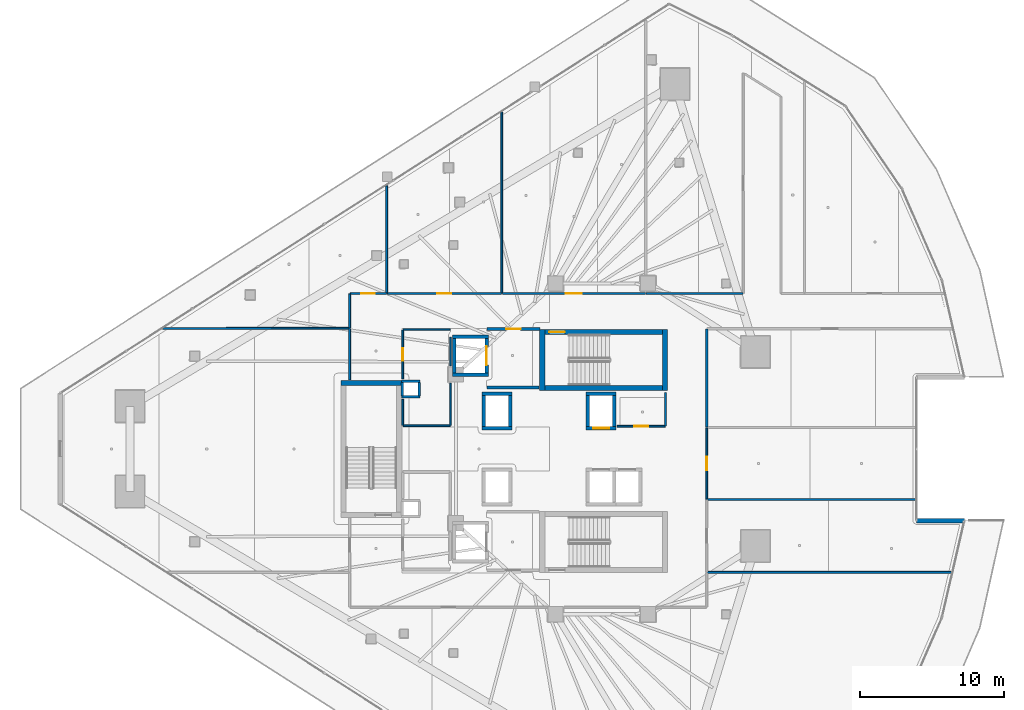
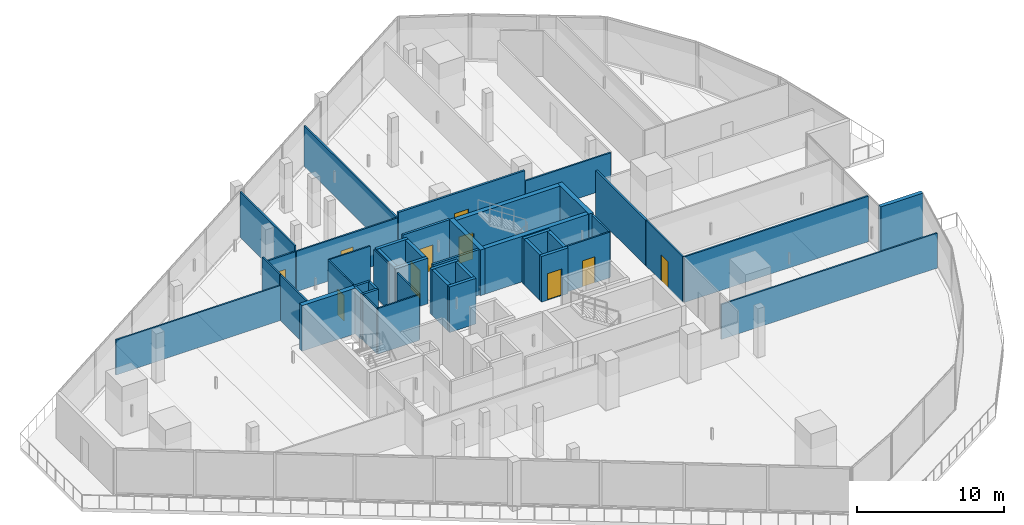
# One storey, part 24 of 35: 45 walls, 10 doors, 10 openings.
"""IFC4 building model written with IfcOpenShell, lengths in metres."""

from ifc_helpers import new_model, si_unit, direction, frame, frame_2d, origin, place, context, subcontext, project, spatial, rectangle, extrude, material, layer, layer_set, type_object, element, fill, save


model = new_model("IFC4")

# Units and contexts
model_context = context("Model", 3, precision=1e-05, world=origin(), true_north=direction((0.0, 1.0)))
body_context = subcontext(model_context, "Body", "Model", "MODEL_VIEW")
ifc_project = project(units=[si_unit("LENGTHUNIT", "METRE"), si_unit("AREAUNIT", "SQUARE_METRE"), si_unit("VOLUMEUNIT", "CUBIC_METRE"), si_unit("PLANEANGLEUNIT", "RADIAN"), si_unit("MASSUNIT", "GRAM", prefix="KILO")], contexts=[model_context])

# Site, building, storey
site_placement = place(None, origin())
site = spatial("IfcSite", under=ifc_project, at=site_placement, CompositionType="ELEMENT")
building_placement = place(site_placement, origin())
building = spatial("IfcBuilding", under=site, at=building_placement, Name="Qorvath Tower", CompositionType="ELEMENT")
storey_placement = place(building_placement, frame((0.0, 0.0, 130.050048828125)))
storey = spatial("IfcBuildingStorey", under=building, at=storey_placement, Name="L29", CompositionType="ELEMENT", Elevation=130.050048828125)

# Walls
ifc_material_1 = material(Name="Gypsum shaftliner on steel studs", Category="steel")
ifc_layer_1 = layer(ifc_material_1, 0.179931640625)
ifc_layer_set_1 = layer_set([ifc_layer_1], Name="FW-LOBBY")
wall_type_1 = type_object("IfcWallType", Name="FW-LOBBY", PredefinedType="PARTITIONING", material=ifc_layer_set_1)
for number, where, z_axis, x_axis, name in (
    (1, (-32.989990234375, 3.594970703125, 0.0), (0.0, 0.0, 1.0), (-1.0, 0.0, 0.0), "MEP Riser Shaft Enclosure Wall N-L29-S"),
    (2, (-34.260009765625, 4.675048828125, 0.0), (0.0, 0.0, 1.0), (1.0, 0.0, 0.0), "MEP Riser Shaft Enclosure Wall N-L29-N"),
):
    element("IfcWall", number, at=place(storey_placement, frame(where, z_axis=z_axis, x_axis=x_axis)), inside=storey, type_object=wall_type_1, Name=name, PredefinedType="PARTITIONING", context=body_context, shape_type="SweptSolid", body=[
        extrude(rectangle(XDim=1.27001953125, YDim=0.179931640625, at=frame_2d((0.635009765625, 0.0))), origin(), (0.0, 0.0, 1.0), 3.780029296875),
    ])
for number, where, z_axis, x_axis, name in (
    (3, (-34.205078125, 3.659912109375, 0.0), (0.0, 0.0, 1.0), (0.0, 1.0, 0.0), "MEP Riser Shaft Enclosure Wall N-L29-W"),
    (4, (-33.044921875, 4.610107421875, 0.0), (0.0, 0.0, 1.0), (0.0, -1.0, 0.0), "MEP Riser Shaft Enclosure Wall N-L29-E"),
):
    element("IfcWall", number, at=place(storey_placement, frame(where, z_axis=z_axis, x_axis=x_axis)), inside=storey, type_object=wall_type_1, Name=name, PredefinedType="PARTITIONING", context=body_context, shape_type="SweptSolid", body=[
        extrude(rectangle(XDim=0.9501953125, YDim=0.179931640625, at=frame_2d((0.47509765625, 0.0))), origin(), (0.0, 0.0, 1.0), 3.780029296875),
    ])
wall_1_placement = place(storey_placement, frame((-28.35498046875, 4.25, 0.0), z_axis=(0.0, 0.0, 1.0), x_axis=(1.0, 0.0, 0.0)))
element("IfcWall", 5, at=wall_1_placement, inside=storey, type_object=wall_type_1, Name="Interior Partition IW-T1-L29-001", PredefinedType="PARTITIONING", context=body_context, shape_type="SweptSolid", body=[
    extrude(rectangle(XDim=3.6220703125, YDim=0.179931640625, at=frame_2d((1.81103515625, 0.0))), origin(), (0.0, 0.0, 1.0), 3.780029296875),
])

# Wall, opening, door
wall_2_placement = place(storey_placement, frame((-24.68408203125, 8.300048828125, 0.0), z_axis=(0.0, 0.0, 1.0), x_axis=(-1.0, 0.0, 0.0)))
wall_2 = element("IfcWall", 6, at=wall_2_placement, inside=storey, type_object=wall_type_1, Name="Interior Partition IW-T1-L29-002", PredefinedType="PARTITIONING", context=body_context, shape_type="SweptSolid", body=[
    extrude(rectangle(XDim=3.6708984375, YDim=0.179931640625, at=frame_2d((1.83544921875, 0.0))), origin(), (0.0, 0.0, 1.0), 3.780029296875),
])
opening_1_placement = place(wall_2_placement, frame((1.33544921875, 0.0, 0.0)))
opening_1 = element("IfcOpeningElement", 7, at=opening_1_placement, cuts=wall_2, Name="Opening D-T1-L29-14", PredefinedType="OPENING", context=body_context, shape_type="SweptSolid", body=[
    extrude(rectangle(XDim=1.0, YDim=2.14990234375, at=frame_2d((0.5, 1.074951171875))), frame((0.0, 0.10009765625, 0.0), z_axis=(0.0, -1.0, 0.0), x_axis=(1.0, 0.0, 0.0)), (0.0, 0.0, 1.0), 0.199951171875),
])
ifc_material_2 = material(Name="Painted galvanised hollow metal", Category="steel")
door_type_1 = type_object("IfcDoorType", Name="FD-60", OperationType="NOTDEFINED", PredefinedType="DOOR", material=ifc_material_2)
door_1_placement = place(opening_1_placement, origin())
door_1 = element("IfcDoor", 8, at=door_1_placement, inside=storey, type_object=door_type_1, Name="Lobby Fire Service Elevator North Door D-T1-L29-14", OperationType="SINGLE_SWING_RIGHT", OverallHeight=2.14990234375, OverallWidth=1.0, PredefinedType="DOOR", context=body_context, shape_type="SweptSolid", body=[
    extrude(rectangle(XDim=1.0, YDim=2.14990234375, at=frame_2d((0.5, 1.074951171875))), frame((0.0, 0.02490234375, 0.0), z_axis=(0.0, -1.0, 0.0), x_axis=(1.0, 0.0, 0.0)), (0.0, 0.0, 1.0), 0.050048828125),
])
fill(opening_1, door_1)

ifc_material_3 = material(Name="Double acoustic gypsum board on steel studs", Category="steel")
ifc_layer_2 = layer(ifc_material_3, 0.159912109375)
ifc_layer_set_2 = layer_set([ifc_layer_2], Name="IW-ACOUSTIC-160")
wall_type_2 = type_object("IfcWallType", Name="IW-ACOUSTIC-160", PredefinedType="PARTITIONING", material=ifc_layer_set_2)
wall_3_placement = place(storey_placement, frame((-27.289794921875, 10.758056640625, 0.0), z_axis=(0.0, 0.0, 1.0), x_axis=(1.0, 0.0, 0.0)))
wall_3 = element("IfcWall", 9, at=wall_3_placement, inside=storey, type_object=wall_type_2, Name="Interior Partition IW-T1-L29-025", PredefinedType="PARTITIONING", context=body_context, shape_type="SweptSolid", body=[
    extrude(rectangle(XDim=9.899169921875, YDim=0.159912109375, at=frame_2d((4.94970703125, 0.0))), origin(), (0.0, 0.0, 1.0), 3.780029296875),
])
opening_2_placement = place(wall_3_placement, frame((4.399658203125, 0.0, 0.0)))
opening_2 = element("IfcOpeningElement", 10, at=opening_2_placement, cuts=wall_3, Name="Opening D-T1-L29-06", PredefinedType="OPENING", context=body_context, shape_type="SweptSolid", body=[
    extrude(rectangle(XDim=1.10009765625, YDim=2.14990234375, at=frame_2d((0.550048828125, 1.074951171875))), frame((0.0, 0.08984375, 0.0), z_axis=(0.0, -1.0, 0.0), x_axis=(1.0, 0.0, 0.0)), (0.0, 0.0, 1.0), 0.179931640625),
])
ifc_material_4 = material(Name="Anodised aluminium acoustic framed glass", Category="aluminium")
door_type_2 = type_object("IfcDoorType", Name="D-03", OperationType="NOTDEFINED", PredefinedType="DOOR", material=ifc_material_4)
door_2_placement = place(opening_2_placement, origin())
door_2 = element("IfcDoor", 11, at=door_2_placement, inside=storey, type_object=door_type_2, Name="L29-03 Client Services Office Door D-T1-L29-06", OperationType="SINGLE_SWING_RIGHT", OverallHeight=2.14990234375, OverallWidth=1.10009765625, PredefinedType="DOOR", context=body_context, shape_type="SweptSolid", body=[
    extrude(rectangle(XDim=1.10009765625, YDim=2.14990234375, at=frame_2d((0.550048828125, 1.074951171875))), frame((0.0, 0.02490234375, 0.0), z_axis=(0.0, -1.0, 0.0), x_axis=(1.0, 0.0, 0.0)), (0.0, 0.0, 1.0), 0.050048828125),
])
fill(opening_2, door_2)

# Wall
wall_4_placement = place(storey_placement, frame((-13.14208984375, 8.287109375, 0.0), z_axis=(0.0, 0.0, 1.0), x_axis=(0.0, -1.0, 0.0)))
element("IfcWall", 12, at=wall_4_placement, inside=storey, type_object=wall_type_2, Name="Interior Partition IW-T1-L29-046", PredefinedType="PARTITIONING", context=body_context, shape_type="SweptSolid", body=[
    extrude(rectangle(XDim=6.776611328125, YDim=0.159912109375, at=frame_2d((3.38818359375, 0.0))), origin(), (0.0, 0.0, 1.0), 3.780029296875),
])

# Wall, opening, door
ifc_material_5 = material(Name="Gypsum board on metal studs with mineral wool", Category="gypsum")
ifc_layer_3 = layer(ifc_material_5, 0.125)
ifc_layer_set_3 = layer_set([ifc_layer_3], Name="IW-PART-125")
wall_type_3 = type_object("IfcWallType", Name="IW-PART-125", PredefinedType="PARTITIONING", material=ifc_layer_set_3)
wall_5_placement = place(storey_placement, frame((-19.333740234375, 1.56005859375, 0.0), z_axis=(0.0, 0.0, 1.0), x_axis=(1.0, 0.0, 0.0)))
wall_5 = element("IfcWall", 13, at=wall_5_placement, inside=storey, type_object=wall_type_3, Name="Interior Partition IW-T1-L29-011", PredefinedType="PARTITIONING", context=body_context, shape_type="SweptSolid", body=[
    extrude(rectangle(XDim=3.308837890625, YDim=0.125, at=frame_2d((1.654296875, 0.0))), origin(), (0.0, 0.0, 1.0), 3.780029296875),
])
opening_3_placement = place(wall_5_placement, frame((1.179443359375, 0.0, 0.0)))
opening_3 = element("IfcOpeningElement", 14, at=opening_3_placement, cuts=wall_5, Name="Opening D-T1-L29-02", PredefinedType="OPENING", context=body_context, shape_type="SweptSolid", body=[
    extrude(rectangle(XDim=0.949951171875, YDim=2.14990234375, at=frame_2d((0.47509765625, 1.074951171875))), frame((0.0, 0.072509765625, 0.0), z_axis=(0.0, -1.0, 0.0), x_axis=(1.0, 0.0, 0.0)), (0.0, 0.0, 1.0), 0.14501953125),
])
ifc_material_6 = material(Name="Solid-core American white oak veneer", Category="wood")
door_type_3 = type_object("IfcDoorType", Name="D-01", OperationType="NOTDEFINED", PredefinedType="DOOR", material=ifc_material_6)
door_3_placement = place(opening_3_placement, origin())
door_3 = element("IfcDoor", 15, at=door_3_placement, inside=storey, type_object=door_type_3, Name="L29-RCN North Staff Refreshment Pantry Door D-T1-L29-02", OperationType="SINGLE_SWING_RIGHT", OverallHeight=2.14990234375, OverallWidth=0.949951171875, PredefinedType="DOOR", context=body_context, shape_type="SweptSolid", body=[
    extrude(rectangle(XDim=0.949951171875, YDim=2.14990234375, at=frame_2d((0.47509765625, 1.074951171875))), frame((0.0, 0.02490234375, 0.0), z_axis=(0.0, -1.0, 0.0), x_axis=(1.0, 0.0, 0.0)), (0.0, 0.0, 1.0), 0.050048828125),
])
fill(opening_3, door_3)

# Walls
wall_6_placement = place(storey_placement, frame((-16.0, 1.585205078125, 0.0), z_axis=(0.0, 0.0, 1.0), x_axis=(0.0, 1.0, 0.0)))
element("IfcWall", 16, at=wall_6_placement, inside=storey, type_object=wall_type_3, Name="Interior Partition IW-T1-L29-012", PredefinedType="PARTITIONING", context=body_context, shape_type="SweptSolid", body=[
    extrude(rectangle(XDim=2.30224609375, YDim=0.125, at=frame_2d((1.151123046875, 0.0))), origin(), (0.0, 0.0, 1.0), 3.780029296875),
])
wall_7_placement = place(storey_placement, frame((-37.85791015625, 8.375, 0.0), z_axis=(0.0, 0.0, 1.0), x_axis=(0.0, 1.0, 0.0)))
element("IfcWall", 17, at=wall_7_placement, inside=storey, type_object=wall_type_3, Name="Interior Partition IW-T1-L29-019", PredefinedType="PARTITIONING", context=body_context, shape_type="SweptSolid", body=[
    extrude(rectangle(XDim=2.358154296875, YDim=0.125, at=frame_2d((1.17919921875, 0.0))), origin(), (0.0, 0.0, 1.0), 3.780029296875),
])

# Wall, opening, door
wall_8_placement = place(storey_placement, frame((-37.8330078125, 10.758056640625, 0.0), z_axis=(0.0, 0.0, 1.0), x_axis=(1.0, 0.0, 0.0)))
wall_8 = element("IfcWall", 18, at=wall_8_placement, inside=storey, type_object=wall_type_3, Name="Interior Partition IW-T1-L29-020", PredefinedType="PARTITIONING", context=body_context, shape_type="SweptSolid", body=[
    extrude(rectangle(XDim=2.50927734375, YDim=0.125, at=frame_2d((1.254638671875, 0.0))), origin(), (0.0, 0.0, 1.0), 3.34423828125),
])
opening_4_placement = place(wall_8_placement, frame((0.779541015625, 0.0, 0.0)))
opening_4 = element("IfcOpeningElement", 19, at=opening_4_placement, cuts=wall_8, Name="Opening D-T1-L29-04", PredefinedType="OPENING", context=body_context, shape_type="SweptSolid", body=[
    extrude(rectangle(XDim=0.949951171875, YDim=2.14990234375, at=frame_2d((0.47509765625, 1.074951171875))), frame((0.0, 0.072509765625, 0.0), z_axis=(0.0, -1.0, 0.0), x_axis=(1.0, 0.0, 0.0)), (0.0, 0.0, 1.0), 0.14501953125),
])
door_4_placement = place(opening_4_placement, origin())
door_4 = element("IfcDoor", 20, at=door_4_placement, inside=storey, type_object=door_type_3, Name="L29-01 Focus Collaboration Pod Door D-T1-L29-04", OperationType="SINGLE_SWING_RIGHT", OverallHeight=2.14990234375, OverallWidth=0.949951171875, PredefinedType="DOOR", context=body_context, shape_type="SweptSolid", body=[
    extrude(rectangle(XDim=0.949951171875, YDim=2.14990234375, at=frame_2d((0.47509765625, 1.074951171875))), frame((0.0, 0.02490234375, 0.0), z_axis=(0.0, -1.0, 0.0), x_axis=(1.0, 0.0, 0.0)), (0.0, 0.0, 1.0), 0.050048828125),
])
fill(opening_4, door_4)

# Walls
wall_9_placement = place(storey_placement, frame((-35.298828125, 10.783203125, 0.0), z_axis=(0.0, 0.0, 1.0), x_axis=(0.0, 1.0, 0.0)))
element("IfcWall", 21, at=wall_9_placement, inside=storey, type_object=wall_type_3, Name="Interior Partition IW-T1-L29-021", PredefinedType="PARTITIONING", context=body_context, shape_type="SweptSolid", body=[
    extrude(rectangle(XDim=7.423583984375, YDim=0.125, at=frame_2d((3.7119140625, 0.0))), origin(), (0.0, 0.0, 1.0), 3.780029296875),
])
wall_10_placement = place(storey_placement, frame((-50.791259765625, 8.334228515625, 0.0), z_axis=(0.0, 0.0, 1.0), x_axis=(0.999999244337, 0.001229359992, 0.0)))
element("IfcWall", 22, at=wall_10_placement, inside=storey, type_object=wall_type_3, Name="Interior Partition IW-T1-L29-022", PredefinedType="PARTITIONING", context=body_context, shape_type="SweptSolid", body=[
    extrude(rectangle(XDim=12.908447265625, YDim=0.125, at=frame_2d((6.4541015625, 0.0))), origin(), (0.0, 0.0, 1.0), 2.89990234375),
])

# Wall, opening, door
wall_11_placement = place(storey_placement, frame((-35.26611328125, 10.758056640625, 0.0), z_axis=(0.0, 0.0, 1.0), x_axis=(1.0, 0.0, 0.0)))
wall_11 = element("IfcWall", 23, at=wall_11_placement, inside=storey, type_object=wall_type_3, Name="Interior Partition IW-T1-L29-023", PredefinedType="PARTITIONING", context=body_context, shape_type="SweptSolid", body=[
    extrude(rectangle(XDim=7.918212890625, YDim=0.125, at=frame_2d((3.958984375, 0.0))), origin(), (0.0, 0.0, 1.0), 3.34423828125),
])
opening_5_placement = place(wall_11_placement, frame((3.484130859375, 0.0, 0.0)))
opening_5 = element("IfcOpeningElement", 24, at=opening_5_placement, cuts=wall_11, Name="Opening D-T1-L29-05", PredefinedType="OPENING", context=body_context, shape_type="SweptSolid", body=[
    extrude(rectangle(XDim=0.949951171875, YDim=2.14990234375, at=frame_2d((0.47509765625, 1.074951171875))), frame((0.0, 0.072509765625, 0.0), z_axis=(0.0, -1.0, 0.0), x_axis=(1.0, 0.0, 0.0)), (0.0, 0.0, 1.0), 0.14501953125),
])
door_5_placement = place(opening_5_placement, origin())
door_5 = element("IfcDoor", 25, at=door_5_placement, inside=storey, type_object=door_type_3, Name="L29-02 Staff Refreshment Pantry and Coffee Bar Door D-T1-L29-05", OperationType="SINGLE_SWING_LEFT", OverallHeight=2.14990234375, OverallWidth=0.949951171875, PredefinedType="DOOR", context=body_context, shape_type="SweptSolid", body=[
    extrude(rectangle(XDim=0.949951171875, YDim=2.14990234375, at=frame_2d((0.47509765625, 1.074951171875))), frame((0.0, 0.02490234375, 0.0), z_axis=(0.0, -1.0, 0.0), x_axis=(1.0, 0.0, 0.0)), (0.0, 0.0, 1.0), 0.050048828125),
])
fill(opening_5, door_5)

# Walls
wall_12_placement = place(storey_placement, frame((-27.32275390625, 10.783203125, 0.0), z_axis=(0.0, 0.0, 1.0), x_axis=(0.0, 1.0, 0.0)))
element("IfcWall", 26, at=wall_12_placement, inside=storey, type_object=wall_type_3, Name="Interior Partition IW-T1-L29-024", PredefinedType="PARTITIONING", context=body_context, shape_type="SweptSolid", body=[
    extrude(rectangle(XDim=12.521240234375, YDim=0.125, at=frame_2d((6.2607421875, 0.0))), origin(), (0.0, 0.0, 1.0), 3.34423828125),
])
wall_13_placement = place(storey_placement, frame((-17.332763671875, 10.758056640625, 0.0), z_axis=(0.0, 0.0, 1.0), x_axis=(1.0, 0.0, 0.0)))
element("IfcWall", 27, at=wall_13_placement, inside=storey, type_object=wall_type_3, Name="Interior Partition IW-T1-L29-027", PredefinedType="PARTITIONING", context=body_context, shape_type="SweptSolid", body=[
    extrude(rectangle(XDim=6.699951171875, YDim=0.125, at=frame_2d((3.35009765625, 0.0))), origin(), (0.0, 0.0, 1.0), 2.89501953125),
])
wall_14_placement = place(storey_placement, frame((3.790771484375, -8.550048828125, 0.0), z_axis=(0.0, 0.0, 1.0), x_axis=(-1.0, 0.0, 0.0)))
element("IfcWall", 28, at=wall_14_placement, inside=storey, type_object=wall_type_3, Name="Interior Partition IW-T1-L29-034", PredefinedType="PARTITIONING", context=body_context, shape_type="SweptSolid", body=[
    extrude(rectangle(XDim=16.907958984375, YDim=0.125, at=frame_2d((8.4541015625, 0.0))), origin(), (0.0, 0.0, 1.0), 2.89501953125),
])
wall_15_placement = place(storey_placement, frame((1.306884765625, -3.5107421875, 0.0), z_axis=(0.0, 0.0, 1.0), x_axis=(-1.0, 0.0, 0.0)))
element("IfcWall", 29, at=wall_15_placement, inside=storey, type_object=wall_type_3, Name="Interior Partition IW-T1-L29-041", PredefinedType="PARTITIONING", context=body_context, shape_type="SweptSolid", body=[
    extrude(rectangle(XDim=14.424072265625, YDim=0.125, at=frame_2d((7.2119140625, 0.0))), origin(), (0.0, 0.0, 1.0), 3.780029296875),
])

# Wall, opening, door
wall_16_placement = place(storey_placement, frame((-13.14208984375, 1.452880859375, 0.0), z_axis=(0.0, 0.0, 1.0), x_axis=(0.0, -1.0, 0.0)))
wall_16 = element("IfcWall", 30, at=wall_16_placement, inside=storey, type_object=wall_type_3, Name="Interior Partition IW-T1-L29-043", PredefinedType="PARTITIONING", context=body_context, shape_type="SweptSolid", body=[
    extrude(rectangle(XDim=4.9306640625, YDim=0.125, at=frame_2d((2.46533203125, 0.0))), origin(), (0.0, 0.0, 1.0), 3.780029296875),
])
opening_6_placement = place(wall_16_placement, frame((1.990234375, 0.0, 0.0)))
opening_6 = element("IfcOpeningElement", 31, at=opening_6_placement, cuts=wall_16, Name="Opening D-T1-L29-11", PredefinedType="OPENING", context=body_context, shape_type="SweptSolid", body=[
    extrude(rectangle(XDim=0.949951171875, YDim=2.14990234375, at=frame_2d((0.47509765625, 1.074951171875))), frame((0.0, 0.072509765625, 0.0), z_axis=(0.0, -1.0, 0.0), x_axis=(1.0, 0.0, 0.0)), (0.0, 0.0, 1.0), 0.14501953125),
])
door_6_placement = place(opening_6_placement, origin())
door_6 = element("IfcDoor", 32, at=door_6_placement, inside=storey, type_object=door_type_3, Name="L29-08 Breakout Reading Alcove Door D-T1-L29-11", OperationType="SINGLE_SWING_LEFT", OverallHeight=2.14990234375, OverallWidth=0.949951171875, PredefinedType="DOOR", context=body_context, shape_type="SweptSolid", body=[
    extrude(rectangle(XDim=0.949951171875, YDim=2.14990234375, at=frame_2d((0.47509765625, 1.074951171875))), frame((0.0, 0.02490234375, 0.0), z_axis=(0.0, -1.0, 0.0), x_axis=(1.0, 0.0, 0.0)), (0.0, 0.0, 1.0), 0.050048828125),
])
fill(opening_6, door_6)

# Walls
wall_17_placement = place(storey_placement, frame((-37.85791015625, 4.783203125, 0.0), z_axis=(0.0, 0.0, 1.0), x_axis=(0.0, 1.0, 0.0)))
element("IfcWall", 33, at=wall_17_placement, inside=storey, type_object=wall_type_3, Name="Interior Partition IW-T1-L29-048", PredefinedType="PARTITIONING", context=body_context, shape_type="SweptSolid", body=[
    extrude(rectangle(XDim=3.53369140625, YDim=0.125, at=frame_2d((1.766845703125, 0.0))), origin(), (0.0, 0.0, 1.0), 3.780029296875),
])
ifc_material_7 = material(Name="Moisture-resistant cement board on metal studs", Category="gypsum")
ifc_layer_4 = layer(ifc_material_7, 0.110107421875)
ifc_layer_set_4 = layer_set([ifc_layer_4], Name="IW-WC-110")
wall_type_4 = type_object("IfcWallType", Name="IW-WC-110", PredefinedType="PARTITIONING", material=ifc_layer_set_4)
wall_18_placement = place(storey_placement, frame((-34.15478515625, 1.60009765625, 0.0), z_axis=(0.0, 0.0, 1.0), x_axis=(1.0, 0.0, 0.0)))
element("IfcWall", 34, at=wall_18_placement, inside=storey, type_object=wall_type_4, Name="Interior Partition IW-T1-L29-005", PredefinedType="PARTITIONING", context=body_context, shape_type="SweptSolid", body=[
    extrude(rectangle(XDim=3.25, YDim=0.110107421875, at=frame_2d((1.625, 0.0))), origin(), (0.0, 0.0, 1.0), 3.780029296875),
])
wall_19_placement = place(storey_placement, frame((-30.8798828125, 1.625, 0.0), z_axis=(0.0, 0.0, 1.0), x_axis=(0.0, 1.0, 0.0)))
element("IfcWall", 35, at=wall_19_placement, inside=storey, type_object=wall_type_4, Name="Interior Partition IW-T1-L29-006", PredefinedType="PARTITIONING", context=body_context, shape_type="SweptSolid", body=[
    extrude(rectangle(XDim=2.93505859375, YDim=0.110107421875, at=frame_2d((1.467529296875, 0.0))), origin(), (0.0, 0.0, 1.0), 3.780029296875),
])
wall_20_placement = place(storey_placement, frame((-30.8798828125, 5.739990234375, 0.0), z_axis=(0.0, 0.0, 1.0), x_axis=(0.0, 1.0, 0.0)))
element("IfcWall", 36, at=wall_20_placement, inside=storey, type_object=wall_type_4, Name="Interior Partition IW-T1-L29-007", PredefinedType="PARTITIONING", context=body_context, shape_type="SweptSolid", body=[
    extrude(rectangle(XDim=2.0029296875, YDim=0.110107421875, at=frame_2d((1.00146484375, 0.0))), origin(), (0.0, 0.0, 1.0), 3.780029296875),
])
wall_21_placement = place(storey_placement, frame((-30.90478515625, 8.25, 0.0), z_axis=(0.0, 0.0, 1.0), x_axis=(-1.0, 0.0, 0.0)))
element("IfcWall", 37, at=wall_21_placement, inside=storey, type_object=wall_type_4, Name="Interior Partition IW-T1-L29-008", PredefinedType="PARTITIONING", context=body_context, shape_type="SweptSolid", body=[
    extrude(rectangle(XDim=3.25, YDim=0.110107421875, at=frame_2d((1.625, 0.0))), origin(), (0.0, 0.0, 1.0), 3.780029296875),
])

# Wall, opening, door
wall_22_placement = place(storey_placement, frame((-34.179931640625, 8.22509765625, 0.0), z_axis=(0.0, 0.0, 1.0), x_axis=(0.0, -1.0, 0.0)))
wall_22 = element("IfcWall", 38, at=wall_22_placement, inside=storey, type_object=wall_type_4, Name="Interior Partition IW-T1-L29-009", PredefinedType="PARTITIONING", context=body_context, shape_type="SweptSolid", body=[
    extrude(rectangle(XDim=3.385009765625, YDim=0.110107421875, at=frame_2d((1.6923828125, 0.0))), origin(), (0.0, 0.0, 1.0), 3.780029296875),
])
opening_7_placement = place(wall_22_placement, frame((1.25244140625, 0.0, 0.0)))
opening_7 = element("IfcOpeningElement", 39, at=opening_7_placement, cuts=wall_22, Name="Opening D-T1-L29-01", PredefinedType="OPENING", context=body_context, shape_type="SweptSolid", body=[
    extrude(rectangle(XDim=0.8798828125, YDim=2.10009765625, at=frame_2d((0.43994140625, 1.050048828125))), frame((0.0, 0.06494140625, 0.0), z_axis=(0.0, -1.0, 0.0), x_axis=(1.0, 0.0, 0.0)), (0.0, 0.0, 1.0), 0.130126953125),
])
ifc_material_8 = material(Name="Solid-core oak with acoustic drop seal", Category="wood")
door_type_4 = type_object("IfcDoorType", Name="D-02", OperationType="NOTDEFINED", PredefinedType="DOOR", material=ifc_material_8)
door_7_placement = place(opening_7_placement, origin())
door_7 = element("IfcDoor", 40, at=door_7_placement, inside=storey, type_object=door_type_4, Name="Accessible WC North L29 Door D-T1-L29-01", OperationType="SINGLE_SWING_LEFT", OverallHeight=2.10009765625, OverallWidth=0.8798828125, PredefinedType="DOOR", context=body_context, shape_type="SweptSolid", body=[
    extrude(rectangle(XDim=0.8798828125, YDim=2.10009765625, at=frame_2d((0.43994140625, 1.050048828125))), frame((0.0, 0.02490234375, 0.0), z_axis=(0.0, -1.0, 0.0), x_axis=(1.0, 0.0, 0.0)), (0.0, 0.0, 1.0), 0.050048828125),
])
fill(opening_7, door_7)

# Walls
wall_23_placement = place(storey_placement, frame((-34.179931640625, 3.429931640625, 0.0), z_axis=(0.0, 0.0, 1.0), x_axis=(0.0, -1.0, 0.0)))
element("IfcWall", 41, at=wall_23_placement, inside=storey, type_object=wall_type_4, Name="Interior Partition IW-T1-L29-010", PredefinedType="PARTITIONING", context=body_context, shape_type="SweptSolid", body=[
    extrude(rectangle(XDim=1.804931640625, YDim=0.110107421875, at=frame_2d((0.90234375, 0.0))), origin(), (0.0, 0.0, 1.0), 3.780029296875),
])
ifc_material_9 = material(Name="Concrete C60/75", Category="concrete")
ifc_layer_5 = layer(ifc_material_9, 0.260009765625)
ifc_layer_set_5 = layer_set([ifc_layer_5], Name="SW-SHAFT")
wall_type_5 = type_object("IfcWallType", Name="SW-SHAFT", PredefinedType="SHEAR", material=ifc_layer_set_5)
for number, where, z_axis, x_axis, name in (
    (42, (-28.260009765625, 5.1298828125, 0.0), (0.0, 0.0, 1.0), (-1.0, 0.0, 0.0), "Hoistway Wall FSAE-1 L29 S"),
    (43, (-30.739990234375, 7.77001953125, 0.0), (0.0, 0.0, 1.0), (1.0, 0.0, 0.0), "Hoistway Wall FSAE-1 L29 N"),
):
    element("IfcWall", number, at=place(storey_placement, frame(where, z_axis=z_axis, x_axis=x_axis)), inside=storey, type_object=wall_type_5, Name=name, PredefinedType="SHEAR", context=body_context, shape_type="SweptSolid", body=[
        extrude(rectangle(XDim=2.47998046875, YDim=0.239990234375, at=frame_2d((1.239990234375, 0.0))), origin(), (0.0, 0.0, 1.0), 3.780029296875),
    ])
wall_24_placement = place(storey_placement, frame((-30.6201171875, 5.261962890625, 0.0), z_axis=(0.0, 0.0, 1.0), x_axis=(0.0, 1.0, 0.0)))
element("IfcWall", 44, at=wall_24_placement, inside=storey, type_object=wall_type_5, Name="Hoistway Wall FSAE-1 L29 W", PredefinedType="SHEAR", context=body_context, shape_type="SweptSolid", body=[
    extrude(rectangle(XDim=2.3759765625, YDim=0.239990234375, at=frame_2d((1.18798828125, 0.0))), origin(), (0.0, 0.0, 1.0), 3.780029296875),
])

# Wall, opening, door
wall_25_placement = place(storey_placement, frame((-28.3798828125, 7.637939453125, 0.0), z_axis=(0.0, 0.0, 1.0), x_axis=(0.0, -1.0, 0.0)))
wall_25 = element("IfcWall", 45, at=wall_25_placement, inside=storey, type_object=wall_type_5, Name="Hoistway Wall FSAE-1 L29 E", PredefinedType="SHEAR", context=body_context, shape_type="SweptSolid", body=[
    extrude(rectangle(XDim=2.3759765625, YDim=0.239990234375, at=frame_2d((1.18798828125, 0.0))), origin(), (0.0, 0.0, 1.0), 3.780029296875),
])
opening_8_placement = place(wall_25_placement, frame((0.537841796875, 0.0, 0.0)))
opening_8 = element("IfcOpeningElement", 46, at=opening_8_placement, cuts=wall_25, Name="Opening LD-FSAE-1-L29", PredefinedType="OPENING", context=body_context, shape_type="SweptSolid", body=[
    extrude(rectangle(XDim=1.300048828125, YDim=2.300048828125, at=frame_2d((0.64990234375, 1.14990234375))), frame((0.0, 0.1298828125, 0.0), z_axis=(0.0, -1.0, 0.0), x_axis=(1.0, 0.0, 0.0)), (0.0, 0.0, 1.0), 0.260009765625),
])
ifc_material_10 = material(Name="Brushed stainless steel AISI 316", Category="steel")
door_type_5 = type_object("IfcDoorType", Name="LD-02", OperationType="NOTDEFINED", PredefinedType="DOOR", material=ifc_material_10)
door_8_placement = place(opening_8_placement, origin())
door_8 = element("IfcDoor", 47, at=door_8_placement, inside=storey, type_object=door_type_5, Name="Elevator Landing Sliding Door LD-FSAE-1-L29", OperationType="DOUBLE_DOOR_SLIDING", OverallHeight=2.300048828125, OverallWidth=1.300048828125, PredefinedType="DOOR", context=body_context, shape_type="SweptSolid", body=[
    extrude(rectangle(XDim=1.300048828125, YDim=2.300048828125, at=frame_2d((0.64990234375, 1.14990234375))), frame((0.0, 0.02490234375, 0.0), z_axis=(0.0, -1.0, 0.0), x_axis=(1.0, 0.0, 0.0)), (0.0, 0.0, 1.0), 0.050048828125),
])
fill(opening_8, door_8)

# Walls
for number, where, z_axis, x_axis, name in (
    (48, (-26.610107421875, 1.429931640625, 0.0), (0.0, 0.0, 1.0), (-1.0, 0.0, 0.0), "Hoistway Wall PS-1 L29 S"),
    (49, (-28.68994140625, 3.820068359375, 0.0), (0.0, 0.0, 1.0), (1.0, 0.0, 0.0), "Hoistway Wall PS-1 L29 N"),
):
    element("IfcWall", number, at=place(storey_placement, frame(where, z_axis=z_axis, x_axis=x_axis)), inside=storey, type_object=wall_type_5, Name=name, PredefinedType="SHEAR", context=body_context, shape_type="SweptSolid", body=[
        extrude(rectangle(XDim=2.079833984375, YDim=0.239990234375, at=frame_2d((1.0400390625, 0.0))), origin(), (0.0, 0.0, 1.0), 3.780029296875),
    ])
for number, where, z_axis, x_axis, name in (
    (50, (-28.570068359375, 1.56201171875, 0.0), (0.0, 0.0, 1.0), (0.0, 1.0, 0.0), "Hoistway Wall PS-1 L29 W"),
    (51, (-26.72998046875, 3.68798828125, 0.0), (0.0, 0.0, 1.0), (0.0, -1.0, 0.0), "Hoistway Wall PS-1 L29 E"),
):
    element("IfcWall", number, at=place(storey_placement, frame(where, z_axis=z_axis, x_axis=x_axis)), inside=storey, type_object=wall_type_5, Name=name, PredefinedType="SHEAR", context=body_context, shape_type="SweptSolid", body=[
        extrude(rectangle(XDim=2.1259765625, YDim=0.239990234375, at=frame_2d((1.06298828125, 0.0))), origin(), (0.0, 0.0, 1.0), 3.780029296875),
    ])

# Wall, opening, door
wall_26_placement = place(storey_placement, frame((-19.409912109375, 1.429931640625, 0.0), z_axis=(0.0, 0.0, 1.0), x_axis=(-1.0, 0.0, 0.0)))
wall_26 = element("IfcWall", 52, at=wall_26_placement, inside=storey, type_object=wall_type_5, Name="Hoistway Wall PM-1 L29 S", PredefinedType="SHEAR", context=body_context, shape_type="SweptSolid", body=[
    extrude(rectangle(XDim=2.080078125, YDim=0.239990234375, at=frame_2d((1.0400390625, 0.0))), origin(), (0.0, 0.0, 1.0), 3.780029296875),
])
opening_9_placement = place(wall_26_placement, frame((0.489990234375, 0.0, 0.0)))
opening_9 = element("IfcOpeningElement", 53, at=opening_9_placement, cuts=wall_26, Name="Opening LD-PM-1-L29", PredefinedType="OPENING", context=body_context, shape_type="SweptSolid", body=[
    extrude(rectangle(XDim=1.10009765625, YDim=2.199951171875, at=frame_2d((0.550048828125, 1.10009765625))), frame((0.0, 0.1298828125, 0.0), z_axis=(0.0, -1.0, 0.0), x_axis=(1.0, 0.0, 0.0)), (0.0, 0.0, 1.0), 0.260009765625),
])
ifc_material_11 = material(Name="Brushed stainless steel AISI 316", Category="steel")
door_type_6 = type_object("IfcDoorType", Name="LD-01", OperationType="NOTDEFINED", PredefinedType="DOOR", material=ifc_material_11)
door_9_placement = place(opening_9_placement, origin())
door_9 = element("IfcDoor", 54, at=door_9_placement, inside=storey, type_object=door_type_6, Name="Elevator Landing Sliding Door LD-PM-1-L29", OperationType="DOUBLE_DOOR_SLIDING", OverallHeight=2.199951171875, OverallWidth=1.10009765625, PredefinedType="DOOR", context=body_context, shape_type="SweptSolid", body=[
    extrude(rectangle(XDim=1.10009765625, YDim=2.199951171875, at=frame_2d((0.550048828125, 1.10009765625))), frame((0.0, 0.02490234375, 0.0), z_axis=(0.0, -1.0, 0.0), x_axis=(1.0, 0.0, 0.0)), (0.0, 0.0, 1.0), 0.050048828125),
])
fill(opening_9, door_9)

# Walls
wall_27_placement = place(storey_placement, frame((-21.489990234375, 3.820068359375, 0.0), z_axis=(0.0, 0.0, 1.0), x_axis=(1.0, 0.0, 0.0)))
element("IfcWall", 55, at=wall_27_placement, inside=storey, type_object=wall_type_5, Name="Hoistway Wall PM-1 L29 N", PredefinedType="SHEAR", context=body_context, shape_type="SweptSolid", body=[
    extrude(rectangle(XDim=2.080078125, YDim=0.239990234375, at=frame_2d((1.0400390625, 0.0))), origin(), (0.0, 0.0, 1.0), 3.780029296875),
])
for number, where, z_axis, x_axis, name in (
    (56, (-21.3701171875, 1.56201171875, 0.0), (0.0, 0.0, 1.0), (0.0, 1.0, 0.0), "Hoistway Wall PM-1 L29 W"),
    (57, (-19.530029296875, 3.68798828125, 0.0), (0.0, 0.0, 1.0), (0.0, -1.0, 0.0), "Hoistway Wall PM-1 L29 E"),
):
    element("IfcWall", number, at=place(storey_placement, frame(where, z_axis=z_axis, x_axis=x_axis)), inside=storey, type_object=wall_type_5, Name=name, PredefinedType="SHEAR", context=body_context, shape_type="SweptSolid", body=[
        extrude(rectangle(XDim=2.1259765625, YDim=0.239990234375, at=frame_2d((1.06298828125, 0.0))), origin(), (0.0, 0.0, 1.0), 3.780029296875),
    ])
ifc_material_12 = material(Name="Concrete C60/75", Category="concrete")
ifc_layer_6 = layer(ifc_material_12, 0.35009765625)
ifc_layer_set_6 = layer_set([ifc_layer_6], Name="SW-STAIR")
wall_type_6 = type_object("IfcWallType", Name="SW-STAIR", PredefinedType="SHEAR", material=ifc_layer_set_6)
for number, where, z_axis, x_axis, name in (
    (58, (-24.52490234375, 8.260009765625, 0.0), (0.0, 0.0, 1.0), (0.0, -1.0, 0.0), "Stair TS1 Shear Wall L29 NEAR"),
    (59, (-16.02490234375, 4.050048828125, 0.0), (0.0, 0.0, 1.0), (0.0, 1.0, 0.0), "Stair TS1 Shear Wall L29 FAR"),
):
    element("IfcWall", number, at=place(storey_placement, frame(where, z_axis=z_axis, x_axis=x_axis)), inside=storey, type_object=wall_type_6, Name=name, PredefinedType="SHEAR", context=body_context, shape_type="SweptSolid", body=[
        extrude(rectangle(XDim=4.2099609375, YDim=0.35009765625, at=frame_2d((2.10498046875, 0.0))), origin(), (0.0, 0.0, 1.0), 3.780029296875),
    ])
wall_28_placement = place(storey_placement, frame((-24.3349609375, 4.22509765625, 0.0), z_axis=(0.0, 0.0, 1.0), x_axis=(1.0, 0.0, 0.0)))
element("IfcWall", 60, at=wall_28_placement, inside=storey, type_object=wall_type_6, Name="Stair TS1 Shear Wall L29 LEFT", PredefinedType="SHEAR", context=body_context, shape_type="SweptSolid", body=[
    extrude(rectangle(XDim=8.119873046875, YDim=0.35009765625, at=frame_2d((4.06005859375, 0.0))), origin(), (0.0, 0.0, 1.0), 3.780029296875),
])

# Wall, opening, door
wall_29_placement = place(storey_placement, frame((-16.215087890625, 8.0849609375, 0.0), z_axis=(0.0, 0.0, 1.0), x_axis=(-1.0, 0.0, 0.0)))
wall_29 = element("IfcWall", 61, at=wall_29_placement, inside=storey, type_object=wall_type_6, Name="Stair TS1 Shear Wall L29 RIGHT", PredefinedType="SHEAR", context=body_context, shape_type="SweptSolid", body=[
    extrude(rectangle(XDim=8.119873046875, YDim=0.35009765625, at=frame_2d((4.06005859375, 0.0))), origin(), (0.0, 0.0, 1.0), 3.780029296875),
])
opening_10_placement = place(wall_29_placement, frame((6.739990234375, 0.0, 0.0)))
opening_10 = element("IfcOpeningElement", 62, at=opening_10_placement, cuts=wall_29, Name="Opening D-TS1-L29", PredefinedType="OPENING", context=body_context, shape_type="SweptSolid", body=[
    extrude(rectangle(XDim=1.10009765625, YDim=2.199951171875, at=frame_2d((0.550048828125, 1.10009765625))), frame((0.0, 0.18505859375, 0.0), z_axis=(0.0, -1.0, 0.0), x_axis=(1.0, 0.0, 0.0)), (0.0, 0.0, 1.0), 0.3701171875),
])
ifc_material_13 = material(Name="Painted galvanised hollow metal", Category="steel")
door_type_7 = type_object("IfcDoorType", Name="FD-90", OperationType="NOTDEFINED", PredefinedType="DOOR", material=ifc_material_13)
door_10_placement = place(opening_10_placement, origin())
door_10 = element("IfcDoor", 63, at=door_10_placement, inside=storey, type_object=door_type_7, Name="Stair TS1 Fire Door L29", OperationType="SINGLE_SWING_RIGHT", OverallHeight=2.199951171875, OverallWidth=1.10009765625, PredefinedType="DOOR", context=body_context, shape_type="SweptSolid", body=[
    extrude(rectangle(XDim=1.10009765625, YDim=2.199951171875, at=frame_2d((0.550048828125, 1.10009765625))), frame((0.0, 0.02490234375, 0.0), z_axis=(0.0, -1.0, 0.0), x_axis=(1.0, 0.0, 0.0)), (0.0, 0.0, 1.0), 0.050048828125),
])
fill(opening_10, door_10)

# Walls
wall_30_placement = place(storey_placement, frame((-34.25, 4.574951171875, 0.0), z_axis=(0.0, 0.0, 1.0), x_axis=(-1.0, 0.0, 0.0)))
element("IfcWall", 64, at=wall_30_placement, inside=storey, type_object=wall_type_6, Name="Stair TS3 Shear Wall L29 FAR", PredefinedType="SHEAR", context=body_context, shape_type="SweptSolid", body=[
    extrude(rectangle(XDim=4.2099609375, YDim=0.35009765625, at=frame_2d((2.10498046875, 0.0))), origin(), (0.0, 0.0, 1.0), 3.780029296875),
])
ifc_material_14 = material(Name="Precast concrete C45/55", Category="concrete")
ifc_layer_7 = layer(ifc_material_14, 0.300048828125)
ifc_layer_set_7 = layer_set([ifc_layer_7], Name="WL-EW-LOG-300")
wall_type_7 = type_object("IfcWallType", Name="WL-EW-LOG-300", PredefinedType="SOLIDWALL", material=ifc_layer_set_7)
wall_31_placement = place(storey_placement, frame((4.698974609375, -4.968017578125, 0.0), z_axis=(0.0, 0.0, 1.0), x_axis=(-1.0, 0.0, 0.0)))
element("IfcWall", 65, at=wall_31_placement, inside=storey, type_object=wall_type_7, Name="Tower Precast Loggia Wall L29-8.1", PredefinedType="SOLIDWALL", context=body_context, shape_type="SweptSolid", body=[
    extrude(rectangle(XDim=3.31201171875, YDim=0.300048828125, at=frame_2d((1.656005859375, 0.0))), origin(), (0.0, 0.0, 1.0), 3.780029296875),
])

save(model, "model.ifc")
